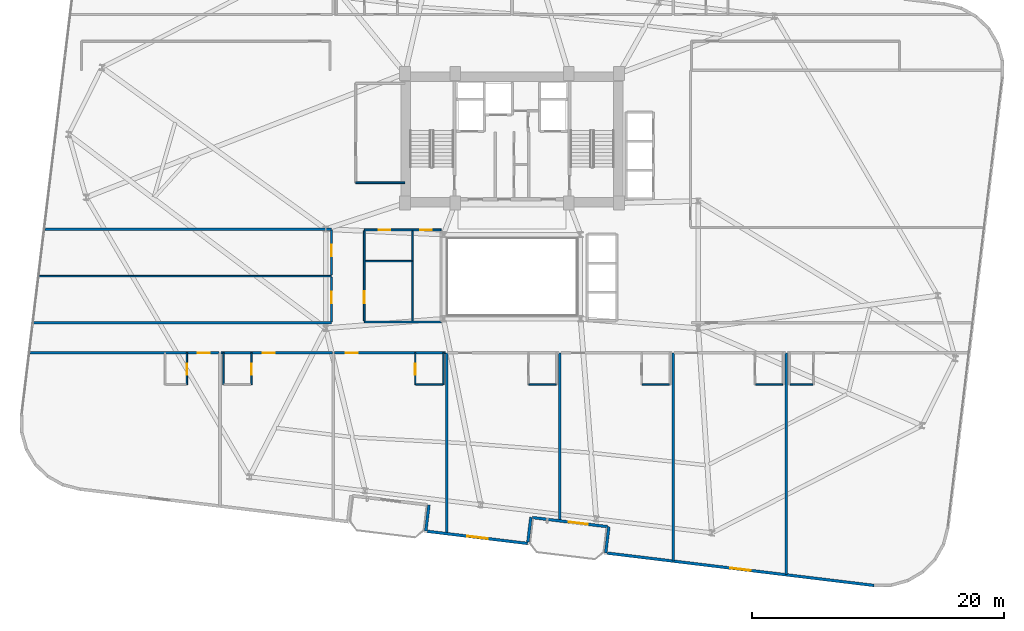
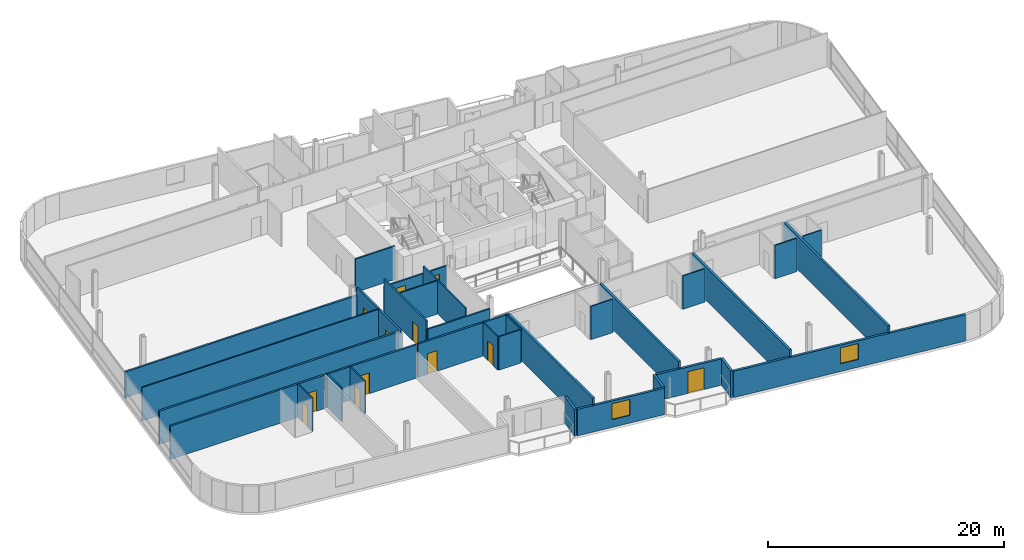
# One storey, part 20 of 26: 34 walls, 12 doors, 2 windows, 14 openings.
"""IFC4 building model written with IfcOpenShell, lengths in metres."""

from ifc_helpers import new_model, si_unit, direction, frame, frame_2d, origin, place, context, subcontext, project, spatial, rectangle, extrude, material, layer, layer_set, type_object, element, fill, save


model = new_model("IFC4")

# Units and contexts
model_context = context("Model", 3, precision=1e-05, world=origin(), true_north=direction((0.0, 1.0)))
body_context = subcontext(model_context, "Body", "Model", "MODEL_VIEW")
ifc_project = project(units=[si_unit("LENGTHUNIT", "METRE"), si_unit("AREAUNIT", "SQUARE_METRE"), si_unit("VOLUMEUNIT", "CUBIC_METRE"), si_unit("PLANEANGLEUNIT", "RADIAN"), si_unit("MASSUNIT", "GRAM", prefix="KILO")], contexts=[model_context])

# Site, building, storey
site_placement = place(None, origin())
site = spatial("IfcSite", under=ifc_project, at=site_placement, CompositionType="ELEMENT")
building_placement = place(site_placement, origin())
building = spatial("IfcBuilding", under=site, at=building_placement, Name="Varnelok Gate Tower", CompositionType="ELEMENT")
storey_placement = place(building_placement, frame((0.0, 0.0, 147.60009765625)))
storey = spatial("IfcBuildingStorey", under=building, at=storey_placement, Name="L37", CompositionType="ELEMENT", Elevation=147.60009765625)

# Wall, opening, door
ifc_material_1 = material(Name="Concrete C45/55", Category="concrete")
ifc_layer_1 = layer(ifc_material_1, 0.219970703125)
ifc_layer_set_1 = layer_set([ifc_layer_1], Name="Concrete C45/55")
wall_type_1 = type_object("IfcWallType", Name="EW-BALC-220", PredefinedType="SOLIDWALL", material=ifc_layer_set_1)
wall_1_placement = place(storey_placement, frame((46.77587890625, 3.03662109375, 0.0), z_axis=(0.0, 0.0, 1.0), x_axis=(-0.992735402148, 0.120318000826, 0.0)))
wall_1 = element("IfcWall", 1, at=wall_1_placement, inside=storey, type_object=wall_type_1, Name="L37 South Terrace Envelope Wall 2", PredefinedType="SOLIDWALL", context=body_context, shape_type="SweptSolid", body=[
    extrude(rectangle(XDim=6.000244140625, YDim=0.219970703125, at=frame_2d((3.0, 0.0))), origin(), (0.0, 0.0, 1.0), 2.72998046875),
])
opening_1_placement = place(wall_1_placement, frame((1.583984375, 0.0, 0.0)))
opening_1 = element("IfcOpeningElement", 2, at=opening_1_placement, cuts=wall_1, Name="Opening BD-1", PredefinedType="OPENING", context=body_context, shape_type="SweptSolid", body=[
    extrude(rectangle(XDim=1.5, YDim=2.25, at=frame_2d((0.75, 1.125))), frame((0.0, 0.119873046875, 0.0), z_axis=(0.0, -1.0, 0.0), x_axis=(1.0, 0.0, 0.0)), (0.0, 0.0, 1.0), 0.239990234375),
])
ifc_material_2 = material(Name="Anodized Aluminum Alloy 6063-T6", Category="aluminium")
door_type_1 = type_object("IfcDoorType", Name="DR-EXT-BALC1500", OperationType="NOTDEFINED", PredefinedType="DOOR", material=ifc_material_2)
door_1_placement = place(opening_1_placement, origin())
door_1 = element("IfcDoor", 3, at=door_1_placement, inside=storey, type_object=door_type_1, Name="L37 South Balcony Glazed Door 2", OperationType="SINGLE_SWING_LEFT", OverallHeight=2.25, OverallWidth=1.5, PredefinedType="DOOR", context=body_context, shape_type="SweptSolid", body=[
    extrude(rectangle(XDim=1.5, YDim=2.25, at=frame_2d((0.75, 1.125))), frame((0.0, 0.02490234375, 0.0), z_axis=(0.0, -1.0, 0.0), x_axis=(1.0, 0.0, 0.0)), (0.0, 0.0, 1.0), 0.050048828125),
])
fill(opening_1, door_1)

# Wall
wall_2_placement = place(storey_placement, frame((32.600830078125, 4.764892578125, 0.0), z_axis=(0.0, 0.0, 1.0), x_axis=(-0.120327895535, -0.992734202874, 0.0)))
element("IfcWall", 4, at=wall_2_placement, inside=storey, type_object=wall_type_1, Name="L37 Perimeter Facade Closure Wall 9", PredefinedType="SOLIDWALL", context=body_context, shape_type="SweptSolid", body=[
    extrude(rectangle(XDim=2.099853515625, YDim=0.219970703125, at=frame_2d((1.0498046875, 0.0))), origin(), (0.0, 0.0, 1.0), 2.72998046875),
])

# Wall, opening, window
wall_3_placement = place(storey_placement, frame((32.47216796875, 2.6650390625, 0.0), z_axis=(0.0, 0.0, 1.0), x_axis=(0.992734661931, -0.120324108143, 0.0)))
wall_3 = element("IfcWall", 5, at=wall_3_placement, inside=storey, type_object=wall_type_1, Name="L37 Perimeter Facade Closure Wall 10", PredefinedType="SOLIDWALL", context=body_context, shape_type="SweptSolid", body=[
    extrude(rectangle(XDim=8.034912109375, YDim=0.219970703125, at=frame_2d((4.017578125, 0.0))), origin(), (0.0, 0.0, 1.0), 2.72998046875),
])
opening_2_placement = place(wall_3_placement, frame((3.1923828125, 0.0, 0.800048828125)))
opening_2 = element("IfcOpeningElement", 6, at=opening_2_placement, cuts=wall_3, Name="Opening WN3", PredefinedType="OPENING", context=body_context, shape_type="SweptSolid", body=[
    extrude(rectangle(XDim=1.64990234375, YDim=1.64990234375, at=frame_2d((0.824951171875, 0.824951171875))), frame((0.0, 0.119873046875, 0.0), z_axis=(0.0, -1.0, 0.0), x_axis=(1.0, 0.0, 0.0)), (0.0, 0.0, 1.0), 0.239990234375),
])
ifc_material_3 = material(Name="Low-E Laminated Double Glazing IGU", Category="glass")
window_type = type_object("IfcWindowType", Name="WN-HTL-1650", PartitioningType="SINGLE_PANEL", PredefinedType="WINDOW", material=ifc_material_3)
window_1_placement = place(opening_2_placement, origin())
window_1 = element("IfcWindow", 7, at=window_1_placement, inside=storey, type_object=window_type, Name="L37 Perimeter Vision Window 10", OverallHeight=1.64990234375, OverallWidth=1.64990234375, PartitioningType="SINGLE_PANEL", PredefinedType="WINDOW", context=body_context, shape_type="SweptSolid", body=[
    extrude(rectangle(XDim=1.64990234375, YDim=1.64990234375, at=frame_2d((0.824951171875, 0.824951171875))), frame((0.0, 0.030029296875, 0.0), z_axis=(0.0, -1.0, 0.0), x_axis=(1.0, 0.0, 0.0)), (0.0, 0.0, 1.0), 0.06005859375),
])
fill(opening_2, window_1)

# Walls
wall_4_placement = place(storey_placement, frame((40.4638671875, 1.822265625, 0.0), z_axis=(0.0, 0.0, 1.0), x_axis=(0.120275992932, 0.992740492538, 0.0)))
element("IfcWall", 8, at=wall_4_placement, inside=storey, type_object=wall_type_1, Name="L37 Perimeter Facade Closure Wall 11", PredefinedType="SOLIDWALL", context=body_context, shape_type="SweptSolid", body=[
    extrude(rectangle(XDim=1.97509765625, YDim=0.219970703125, at=frame_2d((0.987548828125, 0.0))), origin(), (0.0, 0.0, 1.0), 2.72998046875),
])
wall_5_placement = place(storey_placement, frame((46.89599609375, 3.031982421875, 0.0), z_axis=(0.0, 0.0, 1.0), x_axis=(-0.120327895535, -0.992734202874, 0.0)))
element("IfcWall", 9, at=wall_5_placement, inside=storey, type_object=wall_type_1, Name="L37 Perimeter Facade Closure Wall 12", PredefinedType="SOLIDWALL", context=body_context, shape_type="SweptSolid", body=[
    extrude(rectangle(XDim=2.099853515625, YDim=0.219970703125, at=frame_2d((1.0498046875, 0.0))), origin(), (0.0, 0.0, 1.0), 2.72998046875),
])

# Wall, opening, window
wall_6_placement = place(storey_placement, frame((46.767578125, 0.93212890625, 0.0), z_axis=(0.0, 0.0, 1.0), x_axis=(0.992733036814, -0.120337515419, 0.0)))
wall_6 = element("IfcWall", 10, at=wall_6_placement, inside=storey, type_object=wall_type_1, Name="L37 Perimeter Facade Closure Wall 13", PredefinedType="SOLIDWALL", context=body_context, shape_type="SweptSolid", body=[
    extrude(rectangle(XDim=21.346923828125, YDim=0.219970703125, at=frame_2d((10.67333984375, 0.0))), origin(), (0.0, 0.0, 1.0), 2.72998046875),
])
opening_3_placement = place(wall_6_placement, frame((9.8486328125, 0.0, 0.800048828125)))
opening_3 = element("IfcOpeningElement", 11, at=opening_3_placement, cuts=wall_6, Name="Opening WN3", PredefinedType="OPENING", context=body_context, shape_type="SweptSolid", body=[
    extrude(rectangle(XDim=1.64990234375, YDim=1.64990234375, at=frame_2d((0.824951171875, 0.824951171875))), frame((0.0, 0.119873046875, 0.0), z_axis=(0.0, -1.0, 0.0), x_axis=(1.0, 0.0, 0.0)), (0.0, 0.0, 1.0), 0.239990234375),
])
window_2_placement = place(opening_3_placement, origin())
window_2 = element("IfcWindow", 12, at=window_2_placement, inside=storey, type_object=window_type, Name="L37 Perimeter Vision Window 13", OverallHeight=1.64990234375, OverallWidth=1.64990234375, PartitioningType="SINGLE_PANEL", PredefinedType="WINDOW", context=body_context, shape_type="SweptSolid", body=[
    extrude(rectangle(XDim=1.64990234375, YDim=1.64990234375, at=frame_2d((0.824951171875, 0.824951171875))), frame((0.0, 0.030029296875, 0.0), z_axis=(0.0, -1.0, 0.0), x_axis=(1.0, 0.0, 0.0)), (0.0, 0.0, 1.0), 0.06005859375),
])
fill(opening_3, window_2)

# Wall, opening, door
ifc_material_4 = material(Name="Gypsum Plasterboard Acoustic Partition", Category="gypsum")
ifc_layer_2 = layer(ifc_material_4, 0.179931640625)
ifc_layer_set_2 = layer_set([ifc_layer_2], Name="Gypsum Plasterboard Acoustic Partition")
wall_type_2 = type_object("IfcWallType", Name="PW-CORR-180", PredefinedType="PARTITIONING", material=ifc_layer_set_2)
wall_7_placement = place(storey_placement, frame((0.88427734375, 16.85009765625, 0.0), z_axis=(0.0, 0.0, 1.0), x_axis=(1.0, 0.0, 0.0)))
wall_7 = element("IfcWall", 13, at=wall_7_placement, inside=storey, type_object=wall_type_2, Name="Interior Partition", PredefinedType="PARTITIONING", context=body_context, shape_type="SweptSolid", body=[
    extrude(rectangle(XDim=15.03564453125, YDim=0.179931640625, at=frame_2d((7.517822265625, 0.0))), origin(), (0.0, 0.0, 1.0), 3.449951171875),
])
opening_4_placement = place(wall_7_placement, frame((13.329345703125, 0.0, 0.0)))
opening_4 = element("IfcOpeningElement", 14, at=opening_4_placement, cuts=wall_7, Name="Opening D-HT", PredefinedType="OPENING", context=body_context, shape_type="SweptSolid", body=[
    extrude(rectangle(XDim=0.949951171875, YDim=2.14990234375, at=frame_2d((0.47509765625, 1.074951171875))), frame((0.0, 0.099853515625, 0.0), z_axis=(0.0, -1.0, 0.0), x_axis=(1.0, 0.0, 0.0)), (0.0, 0.0, 1.0), 0.199951171875),
])
ifc_material_5 = material(Name="Engineered Hardwood Timber", Category="wood")
door_type_2 = type_object("IfcDoorType", Name="DR-HTL-950", OperationType="NOTDEFINED", PredefinedType="DOOR", material=ifc_material_5)
door_2_placement = place(opening_4_placement, origin())
door_2 = element("IfcDoor", 15, at=door_2_placement, inside=storey, type_object=door_type_2, Name="L37 Guest Room 01 Entrance Door", OperationType="SINGLE_SWING_RIGHT", OverallHeight=2.14990234375, OverallWidth=0.949951171875, PredefinedType="DOOR", context=body_context, shape_type="SweptSolid", body=[
    extrude(rectangle(XDim=0.949951171875, YDim=2.14990234375, at=frame_2d((0.47509765625, 1.074951171875))), frame((0.0, 0.02490234375, 0.0), z_axis=(0.0, -1.0, 0.0), x_axis=(1.0, 0.0, 0.0)), (0.0, 0.0, 1.0), 0.050048828125),
])
fill(opening_4, door_2)

wall_8_placement = place(storey_placement, frame((16.080078125, 16.85009765625, 0.0), z_axis=(0.0, 0.0, 1.0), x_axis=(1.0, 0.0, 0.0)))
wall_8 = element("IfcWall", 16, at=wall_8_placement, inside=storey, type_object=wall_type_2, Name="Interior Partition", PredefinedType="PARTITIONING", context=body_context, shape_type="SweptSolid", body=[
    extrude(rectangle(XDim=8.83984375, YDim=0.179931640625, at=frame_2d((4.419921875, 0.0))), origin(), (0.0, 0.0, 1.0), 3.449951171875),
])
opening_5_placement = place(wall_8_placement, frame((3.307861328125, 0.0, 0.0)))
opening_5 = element("IfcOpeningElement", 17, at=opening_5_placement, cuts=wall_8, Name="Opening D-HT", PredefinedType="OPENING", context=body_context, shape_type="SweptSolid", body=[
    extrude(rectangle(XDim=0.949951171875, YDim=2.14990234375, at=frame_2d((0.47509765625, 1.074951171875))), frame((0.0, 0.099853515625, 0.0), z_axis=(0.0, -1.0, 0.0), x_axis=(1.0, 0.0, 0.0)), (0.0, 0.0, 1.0), 0.199951171875),
])
door_3_placement = place(opening_5_placement, origin())
door_3 = element("IfcDoor", 18, at=door_3_placement, inside=storey, type_object=door_type_2, Name="L37 Guest Room 02 Entrance Door", OperationType="SINGLE_SWING_LEFT", OverallHeight=2.14990234375, OverallWidth=0.949951171875, PredefinedType="DOOR", context=body_context, shape_type="SweptSolid", body=[
    extrude(rectangle(XDim=0.949951171875, YDim=2.14990234375, at=frame_2d((0.47509765625, 1.074951171875))), frame((0.0, 0.02490234375, 0.0), z_axis=(0.0, -1.0, 0.0), x_axis=(1.0, 0.0, 0.0)), (0.0, 0.0, 1.0), 0.050048828125),
])
fill(opening_5, door_3)

wall_9_placement = place(storey_placement, frame((25.080078125, 16.85009765625, 0.0), z_axis=(0.0, 0.0, 1.0), x_axis=(1.0, 0.0, 0.0)))
wall_9 = element("IfcWall", 19, at=wall_9_placement, inside=storey, type_object=wall_type_2, Name="Interior Partition", PredefinedType="PARTITIONING", context=body_context, shape_type="SweptSolid", body=[
    extrude(rectangle(XDim=8.83984375, YDim=0.179931640625, at=frame_2d((4.419921875, 0.0))), origin(), (0.0, 0.0, 1.0), 3.449951171875),
])
opening_6_placement = place(wall_9_placement, frame((0.91796875, 0.0, 0.0)))
opening_6 = element("IfcOpeningElement", 20, at=opening_6_placement, cuts=wall_9, Name="Opening D-HT", PredefinedType="OPENING", context=body_context, shape_type="SweptSolid", body=[
    extrude(rectangle(XDim=0.949951171875, YDim=2.14990234375, at=frame_2d((0.47509765625, 1.074951171875))), frame((0.0, 0.099853515625, 0.0), z_axis=(0.0, -1.0, 0.0), x_axis=(1.0, 0.0, 0.0)), (0.0, 0.0, 1.0), 0.199951171875),
])
door_4_placement = place(opening_6_placement, origin())
door_4 = element("IfcDoor", 21, at=door_4_placement, inside=storey, type_object=door_type_2, Name="L37 Guest Room 03 Entrance Door", OperationType="SINGLE_SWING_RIGHT", OverallHeight=2.14990234375, OverallWidth=0.949951171875, PredefinedType="DOOR", context=body_context, shape_type="SweptSolid", body=[
    extrude(rectangle(XDim=0.949951171875, YDim=2.14990234375, at=frame_2d((0.47509765625, 1.074951171875))), frame((0.0, 0.02490234375, 0.0), z_axis=(0.0, -1.0, 0.0), x_axis=(1.0, 0.0, 0.0)), (0.0, 0.0, 1.0), 0.050048828125),
])
fill(opening_6, door_4)

wall_10_placement = place(storey_placement, frame((24.85009765625, 19.300048828125, 0.0), z_axis=(0.0, 0.0, 1.0), x_axis=(0.0, 1.0, 0.0)))
wall_10 = element("IfcWall", 22, at=wall_10_placement, inside=storey, type_object=wall_type_2, Name="Interior Partition", PredefinedType="PARTITIONING", context=body_context, shape_type="SweptSolid", body=[
    extrude(rectangle(XDim=3.570068359375, YDim=0.179931640625, at=frame_2d((1.78515625, 0.0))), origin(), (0.0, 0.0, 1.0), 3.449951171875),
])
opening_7_placement = place(wall_10_placement, frame((1.49951171875, 0.0, 0.0)))
opening_7 = element("IfcOpeningElement", 23, at=opening_7_placement, cuts=wall_10, Name="Opening D-I3", PredefinedType="OPENING", context=body_context, shape_type="SweptSolid", body=[
    extrude(rectangle(XDim=0.919921875, YDim=2.050048828125, at=frame_2d((0.4599609375, 1.02490234375))), frame((0.0, 0.099853515625, 0.0), z_axis=(0.0, -1.0, 0.0), x_axis=(1.0, 0.0, 0.0)), (0.0, 0.0, 1.0), 0.199951171875),
])
door_type_3 = type_object("IfcDoorType", Name="DR-INT-920", OperationType="NOTDEFINED", PredefinedType="DOOR", material=ifc_material_5)
door_5_placement = place(opening_7_placement, origin())
door_5 = element("IfcDoor", 24, at=door_5_placement, inside=storey, type_object=door_type_3, Name="L37 West Wing Room 1 Door", OperationType="SINGLE_SWING_LEFT", OverallHeight=2.050048828125, OverallWidth=0.919921875, PredefinedType="DOOR", context=body_context, shape_type="SweptSolid", body=[
    extrude(rectangle(XDim=0.919921875, YDim=2.050048828125, at=frame_2d((0.4599609375, 1.02490234375))), frame((0.0, 0.02490234375, 0.0), z_axis=(0.0, -1.0, 0.0), x_axis=(1.0, 0.0, 0.0)), (0.0, 0.0, 1.0), 0.050048828125),
])
fill(opening_7, door_5)

wall_11_placement = place(storey_placement, frame((24.85009765625, 23.030029296875, 0.0), z_axis=(0.0, 0.0, 1.0), x_axis=(0.0, 1.0, 0.0)))
wall_11 = element("IfcWall", 25, at=wall_11_placement, inside=storey, type_object=wall_type_2, Name="Interior Partition", PredefinedType="PARTITIONING", context=body_context, shape_type="SweptSolid", body=[
    extrude(rectangle(XDim=3.570068359375, YDim=0.179931640625, at=frame_2d((1.78515625, 0.0))), origin(), (0.0, 0.0, 1.0), 3.449951171875),
])
opening_8_placement = place(wall_11_placement, frame((1.49951171875, 0.0, 0.0)))
opening_8 = element("IfcOpeningElement", 26, at=opening_8_placement, cuts=wall_11, Name="Opening D-I3", PredefinedType="OPENING", context=body_context, shape_type="SweptSolid", body=[
    extrude(rectangle(XDim=0.919921875, YDim=2.050048828125, at=frame_2d((0.4599609375, 1.02490234375))), frame((0.0, 0.099853515625, 0.0), z_axis=(0.0, -1.0, 0.0), x_axis=(1.0, 0.0, 0.0)), (0.0, 0.0, 1.0), 0.199951171875),
])
door_6_placement = place(opening_8_placement, origin())
door_6 = element("IfcDoor", 27, at=door_6_placement, inside=storey, type_object=door_type_3, Name="L37 West Wing Room 2 Door", OperationType="SINGLE_SWING_RIGHT", OverallHeight=2.050048828125, OverallWidth=0.919921875, PredefinedType="DOOR", context=body_context, shape_type="SweptSolid", body=[
    extrude(rectangle(XDim=0.919921875, YDim=2.050048828125, at=frame_2d((0.4599609375, 1.02490234375))), frame((0.0, 0.02490234375, 0.0), z_axis=(0.0, -1.0, 0.0), x_axis=(1.0, 0.0, 0.0)), (0.0, 0.0, 1.0), 0.050048828125),
])
fill(opening_8, door_6)

# Walls
wall_12_placement = place(storey_placement, frame((1.174072265625, 19.239990234375, 0.0), z_axis=(0.0, 0.0, 1.0), x_axis=(1.0, 0.0, 0.0)))
element("IfcWall", 28, at=wall_12_placement, inside=storey, type_object=wall_type_2, Name="Interior Partition", PredefinedType="PARTITIONING", context=body_context, shape_type="SweptSolid", body=[
    extrude(rectangle(XDim=23.676025390625, YDim=0.179931640625, at=frame_2d((11.837890625, 0.0))), origin(), (0.0, 0.0, 1.0), 3.449951171875),
])
wall_13_placement = place(storey_placement, frame((2.073486328125, 26.659912109375, 0.0), z_axis=(0.0, 0.0, 1.0), x_axis=(1.0, 0.0, 0.0)))
element("IfcWall", 29, at=wall_13_placement, inside=storey, type_object=wall_type_2, Name="Interior Partition", PredefinedType="PARTITIONING", context=body_context, shape_type="SweptSolid", body=[
    extrude(rectangle(XDim=22.776611328125, YDim=0.179931640625, at=frame_2d((11.38818359375, 0.0))), origin(), (0.0, 0.0, 1.0), 2.661865234375),
])

# Wall, opening, door
ifc_layer_3 = layer(ifc_material_4, 0.114990234375)
ifc_layer_set_3 = layer_set([ifc_layer_3], Name="Gypsum Plasterboard Acoustic Partition")
wall_type_3 = type_object("IfcWallType", Name="PW-ENS-125", PredefinedType="PARTITIONING", material=ifc_layer_set_3)
wall_14_placement = place(storey_placement, frame((13.3701171875, 14.330078125, 0.0), z_axis=(0.0, 0.0, 1.0), x_axis=(0.0, 1.0, 0.0)))
wall_14 = element("IfcWall", 30, at=wall_14_placement, inside=storey, type_object=wall_type_3, Name="Interior Partition", PredefinedType="PARTITIONING", context=body_context, shape_type="SweptSolid", body=[
    extrude(rectangle(XDim=2.52001953125, YDim=0.114990234375, at=frame_2d((1.260009765625, 0.0))), origin(), (0.0, 0.0, 1.0), 3.449951171875),
])
opening_9_placement = place(wall_14_placement, frame((0.760009765625, 0.0, 0.0)))
opening_9 = element("IfcOpeningElement", 31, at=opening_9_placement, cuts=wall_14, Name="Opening D-WC", PredefinedType="OPENING", context=body_context, shape_type="SweptSolid", body=[
    extrude(rectangle(XDim=0.89990234375, YDim=2.050048828125, at=frame_2d((0.449951171875, 1.02490234375))), frame((0.0, 0.0673828125, 0.0), z_axis=(0.0, -1.0, 0.0), x_axis=(1.0, 0.0, 0.0)), (0.0, 0.0, 1.0), 0.135009765625),
])
door_type_4 = type_object("IfcDoorType", Name="DR-BATH-900", OperationType="NOTDEFINED", PredefinedType="DOOR", material=ifc_material_5)
door_7_placement = place(opening_9_placement, origin())
door_7 = element("IfcDoor", 32, at=door_7_placement, inside=storey, type_object=door_type_4, Name="L37 Guest En-Suite 01 Door", OperationType="SINGLE_SWING_LEFT", OverallHeight=2.050048828125, OverallWidth=0.89990234375, PredefinedType="DOOR", context=body_context, shape_type="SweptSolid", body=[
    extrude(rectangle(XDim=0.89990234375, YDim=2.050048828125, at=frame_2d((0.449951171875, 1.02490234375))), frame((0.0, 0.02490234375, 0.0), z_axis=(0.0, -1.0, 0.0), x_axis=(1.0, 0.0, 0.0)), (0.0, 0.0, 1.0), 0.050048828125),
])
fill(opening_9, door_7)

wall_15_placement = place(storey_placement, frame((18.489990234375, 14.330078125, 0.0), z_axis=(0.0, 0.0, 1.0), x_axis=(0.0, 1.0, 0.0)))
wall_15 = element("IfcWall", 33, at=wall_15_placement, inside=storey, type_object=wall_type_3, Name="Interior Partition", PredefinedType="PARTITIONING", context=body_context, shape_type="SweptSolid", body=[
    extrude(rectangle(XDim=2.52001953125, YDim=0.114990234375, at=frame_2d((1.260009765625, 0.0))), origin(), (0.0, 0.0, 1.0), 3.449951171875),
])
opening_10_placement = place(wall_15_placement, frame((0.760009765625, 0.0, 0.0)))
opening_10 = element("IfcOpeningElement", 34, at=opening_10_placement, cuts=wall_15, Name="Opening D-WC", PredefinedType="OPENING", context=body_context, shape_type="SweptSolid", body=[
    extrude(rectangle(XDim=0.89990234375, YDim=2.050048828125, at=frame_2d((0.449951171875, 1.02490234375))), frame((0.0, 0.0673828125, 0.0), z_axis=(0.0, -1.0, 0.0), x_axis=(1.0, 0.0, 0.0)), (0.0, 0.0, 1.0), 0.135009765625),
])
door_8_placement = place(opening_10_placement, origin())
door_8 = element("IfcDoor", 35, at=door_8_placement, inside=storey, type_object=door_type_4, Name="L37 Guest En-Suite 02 Door", OperationType="SINGLE_SWING_LEFT", OverallHeight=2.050048828125, OverallWidth=0.89990234375, PredefinedType="DOOR", context=body_context, shape_type="SweptSolid", body=[
    extrude(rectangle(XDim=0.89990234375, YDim=2.050048828125, at=frame_2d((0.449951171875, 1.02490234375))), frame((0.0, 0.02490234375, 0.0), z_axis=(0.0, -1.0, 0.0), x_axis=(1.0, 0.0, 0.0)), (0.0, 0.0, 1.0), 0.050048828125),
])
fill(opening_10, door_8)

# Walls
wall_16_placement = place(storey_placement, frame((16.260009765625, 14.330078125, 0.0), z_axis=(0.0, 0.0, 1.0), x_axis=(0.0, 1.0, 0.0)))
element("IfcWall", 36, at=wall_16_placement, inside=storey, type_object=wall_type_3, Name="Interior Partition", PredefinedType="PARTITIONING", context=body_context, shape_type="SweptSolid", body=[
    extrude(rectangle(XDim=2.52001953125, YDim=0.114990234375, at=frame_2d((1.260009765625, 0.0))), origin(), (0.0, 0.0, 1.0), 3.449951171875),
])
wall_17_placement = place(storey_placement, frame((31.550048828125, 14.330078125, 0.0), z_axis=(0.0, 0.0, 1.0), x_axis=(1.0, 0.0, 0.0)))
element("IfcWall", 37, at=wall_17_placement, inside=storey, type_object=wall_type_3, Name="Interior Partition", PredefinedType="PARTITIONING", context=body_context, shape_type="SweptSolid", body=[
    extrude(rectangle(XDim=2.14990234375, YDim=0.114990234375, at=frame_2d((1.074951171875, 0.0))), origin(), (0.0, 0.0, 1.0), 3.449951171875),
])

# Wall, opening, door
wall_18_placement = place(storey_placement, frame((31.510009765625, 14.330078125, 0.0), z_axis=(0.0, 0.0, 1.0), x_axis=(0.0, 1.0, 0.0)))
wall_18 = element("IfcWall", 38, at=wall_18_placement, inside=storey, type_object=wall_type_3, Name="Interior Partition", PredefinedType="PARTITIONING", context=body_context, shape_type="SweptSolid", body=[
    extrude(rectangle(XDim=2.52001953125, YDim=0.114990234375, at=frame_2d((1.260009765625, 0.0))), origin(), (0.0, 0.0, 1.0), 3.449951171875),
])
opening_11_placement = place(wall_18_placement, frame((0.760009765625, 0.0, 0.0)))
opening_11 = element("IfcOpeningElement", 39, at=opening_11_placement, cuts=wall_18, Name="Opening D-WC", PredefinedType="OPENING", context=body_context, shape_type="SweptSolid", body=[
    extrude(rectangle(XDim=0.89990234375, YDim=2.050048828125, at=frame_2d((0.449951171875, 1.02490234375))), frame((0.0, 0.0673828125, 0.0), z_axis=(0.0, -1.0, 0.0), x_axis=(1.0, 0.0, 0.0)), (0.0, 0.0, 1.0), 0.135009765625),
])
door_9_placement = place(opening_11_placement, origin())
door_9 = element("IfcDoor", 40, at=door_9_placement, inside=storey, type_object=door_type_4, Name="L37 Guest En-Suite 03 Door", OperationType="SINGLE_SWING_RIGHT", OverallHeight=2.050048828125, OverallWidth=0.89990234375, PredefinedType="DOOR", context=body_context, shape_type="SweptSolid", body=[
    extrude(rectangle(XDim=0.89990234375, YDim=2.050048828125, at=frame_2d((0.449951171875, 1.02490234375))), frame((0.0, 0.02490234375, 0.0), z_axis=(0.0, -1.0, 0.0), x_axis=(1.0, 0.0, 0.0)), (0.0, 0.0, 1.0), 0.050048828125),
])
fill(opening_11, door_9)

# Walls
wall_19_placement = place(storey_placement, frame((33.739990234375, 14.330078125, 0.0), z_axis=(0.0, 0.0, 1.0), x_axis=(0.0, 1.0, 0.0)))
element("IfcWall", 41, at=wall_19_placement, inside=storey, type_object=wall_type_3, Name="Interior Partition", PredefinedType="PARTITIONING", context=body_context, shape_type="SweptSolid", body=[
    extrude(rectangle(XDim=2.52001953125, YDim=0.114990234375, at=frame_2d((1.260009765625, 0.0))), origin(), (0.0, 0.0, 1.0), 3.449951171875),
])
for number, where, z_axis, x_axis, name in (
    (42, (40.550048828125, 14.330078125, 0.0), (0.0, 0.0, 1.0), (1.0, 0.0, 0.0), "Interior Partition"),
    (43, (49.550048828125, 14.330078125, 0.0), (0.0, 0.0, 1.0), (1.0, 0.0, 0.0), "Interior Partition"),
    (44, (58.550048828125, 14.330078125, 0.0), (0.0, 0.0, 1.0), (1.0, 0.0, 0.0), "Interior Partition"),
):
    element("IfcWall", number, at=place(storey_placement, frame(where, z_axis=z_axis, x_axis=x_axis)), inside=storey, type_object=wall_type_3, Name=name, PredefinedType="PARTITIONING", context=body_context, shape_type="SweptSolid", body=[
        extrude(rectangle(XDim=2.14990234375, YDim=0.114990234375, at=frame_2d((1.074951171875, 0.0))), origin(), (0.0, 0.0, 1.0), 3.449951171875),
    ])
wall_20_placement = place(storey_placement, frame((61.300048828125, 14.330078125, 0.0), z_axis=(0.0, 0.0, 1.0), x_axis=(1.0, 0.0, 0.0)))
element("IfcWall", 45, at=wall_20_placement, inside=storey, type_object=wall_type_3, Name="Interior Partition", PredefinedType="PARTITIONING", context=body_context, shape_type="SweptSolid", body=[
    extrude(rectangle(XDim=1.80712890625, YDim=0.114990234375, at=frame_2d((0.903564453125, 0.0))), origin(), (0.0, 0.0, 1.0), 3.449951171875),
])
ifc_layer_4 = layer(ifc_material_4, 0.125)
ifc_layer_set_4 = layer_set([ifc_layer_4], Name="Gypsum Plasterboard Acoustic Partition")
wall_type_4 = type_object("IfcWallType", Name="PW-PART-125", PredefinedType="PARTITIONING", material=ifc_layer_set_4)
wall_21_placement = place(storey_placement, frame((1.623779296875, 22.949951171875, 0.0), z_axis=(0.0, 0.0, 1.0), x_axis=(1.0, 0.0, 0.0)))
element("IfcWall", 46, at=wall_21_placement, inside=storey, type_object=wall_type_4, Name="Interior Partition", PredefinedType="PARTITIONING", context=body_context, shape_type="SweptSolid", body=[
    extrude(rectangle(XDim=23.226318359375, YDim=0.125, at=frame_2d((11.61328125, 0.0))), origin(), (0.0, 0.0, 1.0), 3.449951171875),
])
wall_22_placement = place(storey_placement, frame((31.280029296875, 19.3798828125, 0.0), z_axis=(0.0, 0.0, 1.0), x_axis=(0.0, 1.0, 0.0)))
element("IfcWall", 47, at=wall_22_placement, inside=storey, type_object=wall_type_4, Name="Interior Partition", PredefinedType="PARTITIONING", context=body_context, shape_type="SweptSolid", body=[
    extrude(rectangle(XDim=7.16015625, YDim=0.125, at=frame_2d((3.580078125, 0.0))), origin(), (0.0, 0.0, 1.0), 3.449951171875),
])
wall_23_placement = place(storey_placement, frame((27.52001953125, 24.1298828125, 0.0), z_axis=(0.0, 0.0, 1.0), x_axis=(1.0, 0.0, 0.0)))
element("IfcWall", 48, at=wall_23_placement, inside=storey, type_object=wall_type_4, Name="Interior Partition", PredefinedType="PARTITIONING", context=body_context, shape_type="SweptSolid", body=[
    extrude(rectangle(XDim=3.699951171875, YDim=0.125, at=frame_2d((1.85009765625, 0.0))), origin(), (0.0, 0.0, 1.0), 3.449951171875),
])
ifc_layer_5 = layer(ifc_material_4, 0.14990234375)
ifc_layer_set_5 = layer_set([ifc_layer_5], Name="Gypsum Plasterboard Acoustic Partition")
wall_type_5 = type_object("IfcWallType", Name="PW-PART-150", PredefinedType="PARTITIONING", material=ifc_layer_set_5)
wall_24_placement = place(storey_placement, frame((27.4599609375, 19.300048828125, 0.0), z_axis=(0.0, 0.0, 1.0), x_axis=(1.0, 0.0, 0.0)))
element("IfcWall", 49, at=wall_24_placement, inside=storey, type_object=wall_type_5, Name="Interior Partition", PredefinedType="PARTITIONING", context=body_context, shape_type="SweptSolid", body=[
    extrude(rectangle(XDim=6.10009765625, YDim=0.14990234375, at=frame_2d((3.050048828125, 0.0))), origin(), (0.0, 0.0, 1.0), 2.661865234375),
])

# Wall, openings, doors
wall_25_placement = place(storey_placement, frame((27.4599609375, 26.6201171875, 0.0), z_axis=(0.0, 0.0, 1.0), x_axis=(1.0, 0.0, 0.0)))
wall_25 = element("IfcWall", 50, at=wall_25_placement, inside=storey, type_object=wall_type_5, Name="Interior Partition", PredefinedType="PARTITIONING", context=body_context, shape_type="SweptSolid", body=[
    extrude(rectangle(XDim=6.10009765625, YDim=0.14990234375, at=frame_2d((3.050048828125, 0.0))), origin(), (0.0, 0.0, 1.0), 2.661865234375),
])
opening_12_placement = place(wall_25_placement, frame((1.14990234375, 0.0, 0.0)))
opening_12 = element("IfcOpeningElement", 51, at=opening_12_placement, cuts=wall_25, Name="Opening D-WC", PredefinedType="OPENING", context=body_context, shape_type="SweptSolid", body=[
    extrude(rectangle(XDim=0.89990234375, YDim=2.050048828125, at=frame_2d((0.449951171875, 1.02490234375))), frame((0.0, 0.0849609375, 0.0), z_axis=(0.0, -1.0, 0.0), x_axis=(1.0, 0.0, 0.0)), (0.0, 0.0, 1.0), 0.169921875),
])
opening_13_placement = place(wall_25_placement, frame((4.449951171875, 0.0, 0.0)))
opening_13 = element("IfcOpeningElement", 52, at=opening_13_placement, cuts=wall_25, Name="Opening D-I3", PredefinedType="OPENING", context=body_context, shape_type="SweptSolid", body=[
    extrude(rectangle(XDim=0.919921875, YDim=2.050048828125, at=frame_2d((0.4599609375, 1.02490234375))), frame((0.0, 0.0849609375, 0.0), z_axis=(0.0, -1.0, 0.0), x_axis=(1.0, 0.0, 0.0)), (0.0, 0.0, 1.0), 0.169921875),
])
door_10_placement = place(opening_12_placement, origin())
door_10 = element("IfcDoor", 53, at=door_10_placement, inside=storey, type_object=door_type_4, Name="L37 Accessible Floor WC Door", OperationType="SINGLE_SWING_LEFT", OverallHeight=2.050048828125, OverallWidth=0.89990234375, PredefinedType="DOOR", context=body_context, shape_type="SweptSolid", body=[
    extrude(rectangle(XDim=0.89990234375, YDim=2.050048828125, at=frame_2d((0.449951171875, 1.02490234375))), frame((0.0, 0.02490234375, 0.0), z_axis=(0.0, -1.0, 0.0), x_axis=(1.0, 0.0, 0.0)), (0.0, 0.0, 1.0), 0.050048828125),
])
fill(opening_12, door_10)
door_11_placement = place(opening_13_placement, origin())
door_11 = element("IfcDoor", 54, at=door_11_placement, inside=storey, type_object=door_type_3, Name="L37 Valet Pantry Door", OperationType="SINGLE_SWING_RIGHT", OverallHeight=2.050048828125, OverallWidth=0.919921875, PredefinedType="DOOR", context=body_context, shape_type="SweptSolid", body=[
    extrude(rectangle(XDim=0.919921875, YDim=2.050048828125, at=frame_2d((0.4599609375, 1.02490234375))), frame((0.0, 0.02490234375, 0.0), z_axis=(0.0, -1.0, 0.0), x_axis=(1.0, 0.0, 0.0)), (0.0, 0.0, 1.0), 0.050048828125),
])
fill(opening_13, door_11)

# Wall, opening, door
wall_26_placement = place(storey_placement, frame((27.4599609375, 19.3798828125, 0.0), z_axis=(0.0, 0.0, 1.0), x_axis=(0.0, 1.0, 0.0)))
wall_26 = element("IfcWall", 55, at=wall_26_placement, inside=storey, type_object=wall_type_5, Name="Interior Partition", PredefinedType="PARTITIONING", context=body_context, shape_type="SweptSolid", body=[
    extrude(rectangle(XDim=7.16015625, YDim=0.14990234375, at=frame_2d((3.580078125, 0.0))), origin(), (0.0, 0.0, 1.0), 3.449951171875),
])
opening_14_placement = place(wall_26_placement, frame((1.39990234375, 0.0, 0.0)))
opening_14 = element("IfcOpeningElement", 56, at=opening_14_placement, cuts=wall_26, Name="Opening D-I2", PredefinedType="OPENING", context=body_context, shape_type="SweptSolid", body=[
    extrude(rectangle(XDim=0.949951171875, YDim=2.050048828125, at=frame_2d((0.47509765625, 1.02490234375))), frame((0.0, 0.0849609375, 0.0), z_axis=(0.0, -1.0, 0.0), x_axis=(1.0, 0.0, 0.0)), (0.0, 0.0, 1.0), 0.169921875),
])
door_type_5 = type_object("IfcDoorType", Name="DR-INT-950", OperationType="NOTDEFINED", PredefinedType="DOOR", material=ifc_material_5)
door_12_placement = place(opening_14_placement, origin())
door_12 = element("IfcDoor", 57, at=door_12_placement, inside=storey, type_object=door_type_5, Name="L37 Sky Library Door", OperationType="SINGLE_SWING_LEFT", OverallHeight=2.050048828125, OverallWidth=0.949951171875, PredefinedType="DOOR", context=body_context, shape_type="SweptSolid", body=[
    extrude(rectangle(XDim=0.949951171875, YDim=2.050048828125, at=frame_2d((0.47509765625, 1.02490234375))), frame((0.0, 0.02490234375, 0.0), z_axis=(0.0, -1.0, 0.0), x_axis=(1.0, 0.0, 0.0)), (0.0, 0.0, 1.0), 0.050048828125),
])
fill(opening_14, door_12)

# Walls
wall_27_placement = place(storey_placement, frame((26.780029296875, 30.360107421875, 0.0), z_axis=(0.0, 0.0, 1.0), x_axis=(1.0, 0.0, 0.0)))
element("IfcWall", 58, at=wall_27_placement, inside=storey, type_object=wall_type_5, Name="Interior Partition", PredefinedType="PARTITIONING", context=body_context, shape_type="SweptSolid", body=[
    extrude(rectangle(XDim=3.89990234375, YDim=0.14990234375, at=frame_2d((1.949951171875, 0.0))), origin(), (0.0, 0.0, 1.0), 3.449951171875),
])
ifc_layer_6 = layer(ifc_material_4, 0.205078125)
ifc_layer_set_6 = layer_set([ifc_layer_6], Name="Gypsum Plasterboard Acoustic Partition")
wall_type_6 = type_object("IfcWallType", Name="PW-PARTY-200", PredefinedType="PARTITIONING", material=ifc_layer_set_6)
wall_28_placement = place(storey_placement, frame((34.0, 2.5, 0.0), z_axis=(0.0, 0.0, 1.0), x_axis=(0.0, 1.0, 0.0)))
element("IfcWall", 59, at=wall_28_placement, inside=storey, type_object=wall_type_6, Name="L37 South Party Wall 3", PredefinedType="PARTITIONING", context=body_context, shape_type="SweptSolid", body=[
    extrude(rectangle(XDim=14.35009765625, YDim=0.205078125, at=frame_2d((7.175048828125, 0.0))), origin(), (0.0, 0.0, 1.0), 3.449951171875),
])
wall_29_placement = place(storey_placement, frame((43.0, 3.5244140625, 0.0), z_axis=(0.0, 0.0, 1.0), x_axis=(0.0, 1.0, 0.0)))
element("IfcWall", 60, at=wall_29_placement, inside=storey, type_object=wall_type_6, Name="L37 South Party Wall 4", PredefinedType="PARTITIONING", context=body_context, shape_type="SweptSolid", body=[
    extrude(rectangle(XDim=13.32568359375, YDim=0.205078125, at=frame_2d((6.662841796875, 0.0))), origin(), (0.0, 0.0, 1.0), 3.449951171875),
])
wall_30_placement = place(storey_placement, frame((52.0, 0.318115234375, 0.0), z_axis=(0.0, 0.0, 1.0), x_axis=(0.0, 1.0, 0.0)))
element("IfcWall", 61, at=wall_30_placement, inside=storey, type_object=wall_type_6, Name="L37 South Party Wall 5", PredefinedType="PARTITIONING", context=body_context, shape_type="SweptSolid", body=[
    extrude(rectangle(XDim=16.531982421875, YDim=0.205078125, at=frame_2d((8.26611328125, 0.0))), origin(), (0.0, 0.0, 1.0), 3.449951171875),
])
wall_31_placement = place(storey_placement, frame((61.0, -0.77294921875, 0.0), z_axis=(0.0, 0.0, 1.0), x_axis=(0.0, 1.0, 0.0)))
element("IfcWall", 62, at=wall_31_placement, inside=storey, type_object=wall_type_6, Name="L37 South Party Wall 6", PredefinedType="PARTITIONING", context=body_context, shape_type="SweptSolid", body=[
    extrude(rectangle(XDim=17.623046875, YDim=0.205078125, at=frame_2d((8.8115234375, 0.0))), origin(), (0.0, 0.0, 1.0), 3.449951171875),
])

save(model, "model.ifc")
